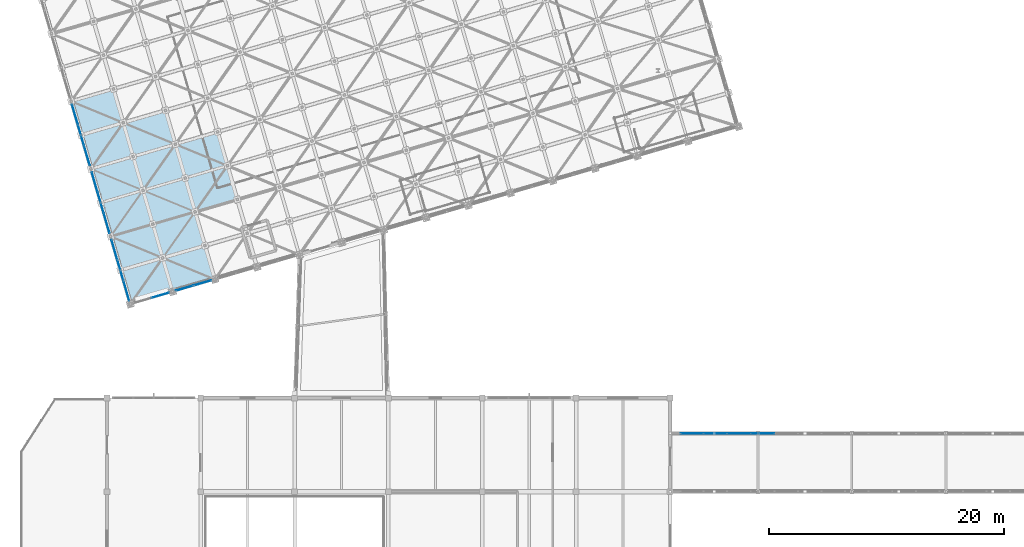
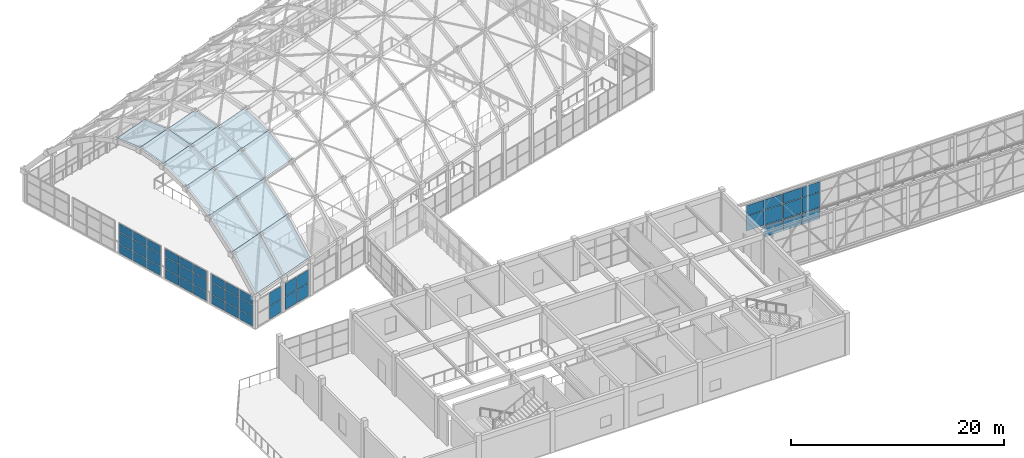
# One storey, part 199 of 248: 57 plates, 6 elements without a shape of their own.
"""IFC4 building model written with IfcOpenShell, lengths in metres."""

from ifc_helpers import new_model, si_unit, direction, frame, origin, origin_2d, place, context, subcontext, project, spatial, polyline, rectangle, outline, extrude, material, layer, layer_set, type_object, element, aggregate, save


model = new_model("IFC4")

# Units and contexts
model_context = context("Model", 3, precision=1e-05, world=origin(), true_north=direction((0.0, 1.0)))
body_context = subcontext(model_context, "Body", "Model", "MODEL_VIEW")
ifc_project = project(units=[si_unit("LENGTHUNIT", "METRE"), si_unit("AREAUNIT", "SQUARE_METRE"), si_unit("VOLUMEUNIT", "CUBIC_METRE"), si_unit("PLANEANGLEUNIT", "RADIAN"), si_unit("MASSUNIT", "GRAM", prefix="KILO")], contexts=[model_context])

# Site, building, storey
site_placement = place(None, origin())
site = spatial("IfcSite", under=ifc_project, at=site_placement, CompositionType="ELEMENT")
building_placement = place(site_placement, origin())
building = spatial("IfcBuilding", under=site, at=building_placement, Name="Canggui Botanical Conservatory", CompositionType="ELEMENT")
storey_placement = place(building_placement, frame((0.0, 0.0, 5.39990234375)))
storey = spatial("IfcBuildingStorey", under=building, at=storey_placement, Name="L02", CompositionType="ELEMENT", Elevation=5.39990234375)

# Curtain wall, plates
ifc_material_1 = material(Name="Thermally Broken Aluminium", Category="aluminium")
ifc_layer_1 = layer(ifc_material_1, 0.14990234375, Name="Thermally Broken Aluminium", Category="aluminium")
ifc_layer_set_1 = layer_set([ifc_layer_1], Name="Thermally Broken Aluminium")
curtain_wall_type_1 = type_object("IfcCurtainWallType", Name="CW-UNIT-C", PredefinedType="USERDEFINED", material=ifc_layer_set_1)
curtain_wall_1_placement = place(storey_placement, origin())
curtain_wall_1 = element("IfcCurtainWall", 1, at=curtain_wall_1_placement, inside=storey, type_object=curtain_wall_type_1, Name="Facade Curtain Wall CW-CONS-GABLE-L02-S-01", ObjectType="UNITISED CURTAIN WALL", PredefinedType="USERDEFINED")
ifc_material_2 = material(Name="Low-E Insulated Glass", Category="glass")
ifc_layer_2 = layer(ifc_material_2, 0.033935546875, Name="Low-E Insulated Glass", Category="glass")
ifc_layer_set_2 = layer_set([ifc_layer_2], Name="Low-E Insulated Glass")
plate_type_1 = type_object("IfcPlateType", Name="CWP-03", PredefinedType="CURTAIN_PANEL", material=ifc_layer_set_2)
plate_1_placement = place(storey_placement, frame((19.669189453125, 43.134521484375, 0.054931640625), z_axis=(0.0, 0.0, 1.0), x_axis=(-0.279999999995, 0.960000000002, 0.0)))
plate_1 = element("IfcPlate", 2, at=plate_1_placement, type_object=plate_type_1, Name="CW-03 panel 1.1", PredefinedType="CURTAIN_PANEL", context=body_context, shape_type="SweptSolid", body=[
    extrude(rectangle(XDim=1.743408203125, YDim=0.033935546875, at=origin_2d()), origin(), (0.0, 0.0, 1.0), 1.03759765625),
])
plate_2_placement = place(storey_placement, frame((19.669189453125, 43.134521484375, 1.1474609375), z_axis=(0.0, 0.0, 1.0), x_axis=(-0.279999999995, 0.960000000002, 0.0)))
plate_2 = element("IfcPlate", 3, at=plate_2_placement, type_object=plate_type_1, Name="CW-03 panel 1.2", PredefinedType="CURTAIN_PANEL", context=body_context, shape_type="SweptSolid", body=[
    extrude(rectangle(XDim=1.743408203125, YDim=0.033935546875, at=origin_2d()), origin(), (0.0, 0.0, 1.0), 1.344970703125),
])
plate_3_placement = place(storey_placement, frame((19.669189453125, 43.134521484375, 2.547607421875), z_axis=(0.0, 0.0, 1.0), x_axis=(-0.279999999995, 0.960000000002, 0.0)))
plate_3 = element("IfcPlate", 4, at=plate_3_placement, type_object=plate_type_1, Name="CW-03 panel 1.3", PredefinedType="CURTAIN_PANEL", context=body_context, shape_type="SweptSolid", body=[
    extrude(rectangle(XDim=1.743408203125, YDim=0.033935546875, at=origin_2d()), origin(), (0.0, 0.0, 1.0), 0.8974609375),
])
plate_4_placement = place(storey_placement, frame((19.159912109375, 44.8798828125, 0.054931640625), z_axis=(0.0, 0.0, 1.0), x_axis=(-0.279999999995, 0.960000000002, 0.0)))
plate_4 = element("IfcPlate", 5, at=plate_4_placement, type_object=plate_type_1, Name="CW-03 panel 2.1", PredefinedType="CURTAIN_PANEL", context=body_context, shape_type="SweptSolid", body=[
    extrude(rectangle(XDim=1.7734375, YDim=0.033935546875, at=origin_2d()), origin(), (0.0, 0.0, 1.0), 1.03759765625),
])
plate_5_placement = place(storey_placement, frame((19.159912109375, 44.8798828125, 1.1474609375), z_axis=(0.0, 0.0, 1.0), x_axis=(-0.279999999995, 0.960000000002, 0.0)))
plate_5 = element("IfcPlate", 6, at=plate_5_placement, type_object=plate_type_1, Name="CW-03 panel 2.2", PredefinedType="CURTAIN_PANEL", context=body_context, shape_type="SweptSolid", body=[
    extrude(rectangle(XDim=1.7734375, YDim=0.033935546875, at=origin_2d()), origin(), (0.0, 0.0, 1.0), 1.344970703125),
])
plate_6_placement = place(storey_placement, frame((19.159912109375, 44.8798828125, 2.547607421875), z_axis=(0.0, 0.0, 1.0), x_axis=(-0.279999999995, 0.960000000002, 0.0)))
plate_6 = element("IfcPlate", 7, at=plate_6_placement, type_object=plate_type_1, Name="CW-03 panel 2.3", PredefinedType="CURTAIN_PANEL", context=body_context, shape_type="SweptSolid", body=[
    extrude(rectangle(XDim=1.7734375, YDim=0.033935546875, at=origin_2d()), origin(), (0.0, 0.0, 1.0), 0.8974609375),
])
plate_7_placement = place(storey_placement, frame((18.65087890625, 46.62548828125, 0.054931640625), z_axis=(0.0, 0.0, 1.0), x_axis=(-0.279999999995, 0.960000000002, 0.0)))
plate_7 = element("IfcPlate", 8, at=plate_7_placement, type_object=plate_type_1, Name="CW-03 panel 3.1", PredefinedType="CURTAIN_PANEL", context=body_context, shape_type="SweptSolid", body=[
    extrude(rectangle(XDim=1.743408203125, YDim=0.033935546875, at=origin_2d()), origin(), (0.0, 0.0, 1.0), 1.03759765625),
])
plate_8_placement = place(storey_placement, frame((18.65087890625, 46.62548828125, 1.1474609375), z_axis=(0.0, 0.0, 1.0), x_axis=(-0.279999999995, 0.960000000002, 0.0)))
plate_8 = element("IfcPlate", 9, at=plate_8_placement, type_object=plate_type_1, Name="CW-03 panel 3.2", PredefinedType="CURTAIN_PANEL", context=body_context, shape_type="SweptSolid", body=[
    extrude(rectangle(XDim=1.743408203125, YDim=0.033935546875, at=origin_2d()), origin(), (0.0, 0.0, 1.0), 1.344970703125),
])
plate_9_placement = place(storey_placement, frame((18.65087890625, 46.62548828125, 2.547607421875), z_axis=(0.0, 0.0, 1.0), x_axis=(-0.279999999995, 0.960000000002, 0.0)))
plate_9 = element("IfcPlate", 10, at=plate_9_placement, type_object=plate_type_1, Name="CW-03 panel 3.3", PredefinedType="CURTAIN_PANEL", context=body_context, shape_type="SweptSolid", body=[
    extrude(rectangle(XDim=1.743408203125, YDim=0.033935546875, at=origin_2d()), origin(), (0.0, 0.0, 1.0), 0.8974609375),
])
aggregate(curtain_wall_1, [plate_1, plate_2, plate_3, plate_4, plate_5, plate_6, plate_7, plate_8, plate_9])

curtain_wall_2_placement = place(storey_placement, origin())
curtain_wall_2 = element("IfcCurtainWall", 11, at=curtain_wall_2_placement, inside=storey, type_object=curtain_wall_type_1, Name="Facade Curtain Wall CW-CONS-GABLE-L02-S-02", ObjectType="UNITISED CURTAIN WALL", PredefinedType="USERDEFINED")
plate_10_placement = place(storey_placement, frame((17.989013671875, 48.894287109375, 0.054931640625), z_axis=(0.0, 0.0, 1.0), x_axis=(-0.279999999995, 0.960000000002, 0.0)))
plate_10 = element("IfcPlate", 12, at=plate_10_placement, type_object=plate_type_1, Name="CW-03 panel 1.1", PredefinedType="CURTAIN_PANEL", context=body_context, shape_type="SweptSolid", body=[
    extrude(rectangle(XDim=1.743408203125, YDim=0.033935546875, at=origin_2d()), origin(), (0.0, 0.0, 1.0), 1.03759765625),
])
plate_11_placement = place(storey_placement, frame((17.989013671875, 48.894287109375, 1.1474609375), z_axis=(0.0, 0.0, 1.0), x_axis=(-0.279999999995, 0.960000000002, 0.0)))
plate_11 = element("IfcPlate", 13, at=plate_11_placement, type_object=plate_type_1, Name="CW-03 panel 1.2", PredefinedType="CURTAIN_PANEL", context=body_context, shape_type="SweptSolid", body=[
    extrude(rectangle(XDim=1.743408203125, YDim=0.033935546875, at=origin_2d()), origin(), (0.0, 0.0, 1.0), 1.344970703125),
])
plate_12_placement = place(storey_placement, frame((17.989013671875, 48.894287109375, 2.547607421875), z_axis=(0.0, 0.0, 1.0), x_axis=(-0.279999999995, 0.960000000002, 0.0)))
plate_12 = element("IfcPlate", 14, at=plate_12_placement, type_object=plate_type_1, Name="CW-03 panel 1.3", PredefinedType="CURTAIN_PANEL", context=body_context, shape_type="SweptSolid", body=[
    extrude(rectangle(XDim=1.743408203125, YDim=0.033935546875, at=origin_2d()), origin(), (0.0, 0.0, 1.0), 0.8974609375),
])
plate_13_placement = place(storey_placement, frame((17.47998046875, 50.639892578125, 0.054931640625), z_axis=(0.0, 0.0, 1.0), x_axis=(-0.279999999995, 0.960000000002, 0.0)))
plate_13 = element("IfcPlate", 15, at=plate_13_placement, type_object=plate_type_1, Name="CW-03 panel 2.1", PredefinedType="CURTAIN_PANEL", context=body_context, shape_type="SweptSolid", body=[
    extrude(rectangle(XDim=1.7734375, YDim=0.033935546875, at=origin_2d()), origin(), (0.0, 0.0, 1.0), 1.03759765625),
])
plate_14_placement = place(storey_placement, frame((17.47998046875, 50.639892578125, 1.1474609375), z_axis=(0.0, 0.0, 1.0), x_axis=(-0.279999999995, 0.960000000002, 0.0)))
plate_14 = element("IfcPlate", 16, at=plate_14_placement, type_object=plate_type_1, Name="CW-03 panel 2.2", PredefinedType="CURTAIN_PANEL", context=body_context, shape_type="SweptSolid", body=[
    extrude(rectangle(XDim=1.7734375, YDim=0.033935546875, at=origin_2d()), origin(), (0.0, 0.0, 1.0), 1.344970703125),
])
plate_15_placement = place(storey_placement, frame((17.47998046875, 50.639892578125, 2.547607421875), z_axis=(0.0, 0.0, 1.0), x_axis=(-0.279999999995, 0.960000000002, 0.0)))
plate_15 = element("IfcPlate", 17, at=plate_15_placement, type_object=plate_type_1, Name="CW-03 panel 2.3", PredefinedType="CURTAIN_PANEL", context=body_context, shape_type="SweptSolid", body=[
    extrude(rectangle(XDim=1.7734375, YDim=0.033935546875, at=origin_2d()), origin(), (0.0, 0.0, 1.0), 0.8974609375),
])
plate_16_placement = place(storey_placement, frame((16.970947265625, 52.385498046875, 0.054931640625), z_axis=(0.0, 0.0, 1.0), x_axis=(-0.279999999995, 0.960000000002, 0.0)))
plate_16 = element("IfcPlate", 18, at=plate_16_placement, type_object=plate_type_1, Name="CW-03 panel 3.1", PredefinedType="CURTAIN_PANEL", context=body_context, shape_type="SweptSolid", body=[
    extrude(rectangle(XDim=1.743408203125, YDim=0.033935546875, at=origin_2d()), origin(), (0.0, 0.0, 1.0), 1.03759765625),
])
plate_17_placement = place(storey_placement, frame((16.970947265625, 52.385498046875, 1.1474609375), z_axis=(0.0, 0.0, 1.0), x_axis=(-0.279999999995, 0.960000000002, 0.0)))
plate_17 = element("IfcPlate", 19, at=plate_17_placement, type_object=plate_type_1, Name="CW-03 panel 3.2", PredefinedType="CURTAIN_PANEL", context=body_context, shape_type="SweptSolid", body=[
    extrude(rectangle(XDim=1.743408203125, YDim=0.033935546875, at=origin_2d()), origin(), (0.0, 0.0, 1.0), 1.344970703125),
])
plate_18_placement = place(storey_placement, frame((16.970947265625, 52.385498046875, 2.547607421875), z_axis=(0.0, 0.0, 1.0), x_axis=(-0.279999999995, 0.960000000002, 0.0)))
plate_18 = element("IfcPlate", 20, at=plate_18_placement, type_object=plate_type_1, Name="CW-03 panel 3.3", PredefinedType="CURTAIN_PANEL", context=body_context, shape_type="SweptSolid", body=[
    extrude(rectangle(XDim=1.743408203125, YDim=0.033935546875, at=origin_2d()), origin(), (0.0, 0.0, 1.0), 0.8974609375),
])
aggregate(curtain_wall_2, [plate_10, plate_11, plate_12, plate_13, plate_14, plate_15, plate_16, plate_17, plate_18])

curtain_wall_3_placement = place(storey_placement, origin())
curtain_wall_3 = element("IfcCurtainWall", 21, at=curtain_wall_3_placement, inside=storey, type_object=curtain_wall_type_1, Name="Facade Curtain Wall CW-CONS-GABLE-L02-S-03", ObjectType="UNITISED CURTAIN WALL", PredefinedType="USERDEFINED")
plate_19_placement = place(storey_placement, frame((16.30908203125, 54.654296875, 0.054931640625), z_axis=(0.0, 0.0, 1.0), x_axis=(-0.279999999995, 0.960000000002, 0.0)))
plate_19 = element("IfcPlate", 22, at=plate_19_placement, type_object=plate_type_1, Name="CW-03 panel 1.1", PredefinedType="CURTAIN_PANEL", context=body_context, shape_type="SweptSolid", body=[
    extrude(rectangle(XDim=1.743408203125, YDim=0.033935546875, at=origin_2d()), origin(), (0.0, 0.0, 1.0), 1.03759765625),
])
plate_20_placement = place(storey_placement, frame((16.30908203125, 54.654296875, 1.1474609375), z_axis=(0.0, 0.0, 1.0), x_axis=(-0.279999999995, 0.960000000002, 0.0)))
plate_20 = element("IfcPlate", 23, at=plate_20_placement, type_object=plate_type_1, Name="CW-03 panel 1.2", PredefinedType="CURTAIN_PANEL", context=body_context, shape_type="SweptSolid", body=[
    extrude(rectangle(XDim=1.743408203125, YDim=0.033935546875, at=origin_2d()), origin(), (0.0, 0.0, 1.0), 1.344970703125),
])
plate_21_placement = place(storey_placement, frame((16.30908203125, 54.654296875, 2.547607421875), z_axis=(0.0, 0.0, 1.0), x_axis=(-0.279999999995, 0.960000000002, 0.0)))
plate_21 = element("IfcPlate", 24, at=plate_21_placement, type_object=plate_type_1, Name="CW-03 panel 1.3", PredefinedType="CURTAIN_PANEL", context=body_context, shape_type="SweptSolid", body=[
    extrude(rectangle(XDim=1.743408203125, YDim=0.033935546875, at=origin_2d()), origin(), (0.0, 0.0, 1.0), 0.8974609375),
])
plate_22_placement = place(storey_placement, frame((15.800048828125, 56.39990234375, 0.054931640625), z_axis=(0.0, 0.0, 1.0), x_axis=(-0.279999999995, 0.960000000002, 0.0)))
plate_22 = element("IfcPlate", 25, at=plate_22_placement, type_object=plate_type_1, Name="CW-03 panel 2.1", PredefinedType="CURTAIN_PANEL", context=body_context, shape_type="SweptSolid", body=[
    extrude(rectangle(XDim=1.7734375, YDim=0.033935546875, at=origin_2d()), origin(), (0.0, 0.0, 1.0), 1.03759765625),
])
plate_23_placement = place(storey_placement, frame((15.800048828125, 56.39990234375, 1.1474609375), z_axis=(0.0, 0.0, 1.0), x_axis=(-0.279999999995, 0.960000000002, 0.0)))
plate_23 = element("IfcPlate", 26, at=plate_23_placement, type_object=plate_type_1, Name="CW-03 panel 2.2", PredefinedType="CURTAIN_PANEL", context=body_context, shape_type="SweptSolid", body=[
    extrude(rectangle(XDim=1.7734375, YDim=0.033935546875, at=origin_2d()), origin(), (0.0, 0.0, 1.0), 1.344970703125),
])
plate_24_placement = place(storey_placement, frame((15.800048828125, 56.39990234375, 2.547607421875), z_axis=(0.0, 0.0, 1.0), x_axis=(-0.279999999995, 0.960000000002, 0.0)))
plate_24 = element("IfcPlate", 27, at=plate_24_placement, type_object=plate_type_1, Name="CW-03 panel 2.3", PredefinedType="CURTAIN_PANEL", context=body_context, shape_type="SweptSolid", body=[
    extrude(rectangle(XDim=1.7734375, YDim=0.033935546875, at=origin_2d()), origin(), (0.0, 0.0, 1.0), 0.8974609375),
])
plate_25_placement = place(storey_placement, frame((15.290771484375, 58.1455078125, 0.054931640625), z_axis=(0.0, 0.0, 1.0), x_axis=(-0.279999999995, 0.960000000002, 0.0)))
plate_25 = element("IfcPlate", 28, at=plate_25_placement, type_object=plate_type_1, Name="CW-03 panel 3.1", PredefinedType="CURTAIN_PANEL", context=body_context, shape_type="SweptSolid", body=[
    extrude(rectangle(XDim=1.743408203125, YDim=0.033935546875, at=origin_2d()), origin(), (0.0, 0.0, 1.0), 1.03759765625),
])
plate_26_placement = place(storey_placement, frame((15.290771484375, 58.1455078125, 1.1474609375), z_axis=(0.0, 0.0, 1.0), x_axis=(-0.279999999995, 0.960000000002, 0.0)))
plate_26 = element("IfcPlate", 29, at=plate_26_placement, type_object=plate_type_1, Name="CW-03 panel 3.2", PredefinedType="CURTAIN_PANEL", context=body_context, shape_type="SweptSolid", body=[
    extrude(rectangle(XDim=1.743408203125, YDim=0.033935546875, at=origin_2d()), origin(), (0.0, 0.0, 1.0), 1.344970703125),
])
plate_27_placement = place(storey_placement, frame((15.290771484375, 58.1455078125, 2.547607421875), z_axis=(0.0, 0.0, 1.0), x_axis=(-0.279999999995, 0.960000000002, 0.0)))
plate_27 = element("IfcPlate", 30, at=plate_27_placement, type_object=plate_type_1, Name="CW-03 panel 3.3", PredefinedType="CURTAIN_PANEL", context=body_context, shape_type="SweptSolid", body=[
    extrude(rectangle(XDim=1.743408203125, YDim=0.033935546875, at=origin_2d()), origin(), (0.0, 0.0, 1.0), 0.8974609375),
])
aggregate(curtain_wall_3, [plate_19, plate_20, plate_21, plate_22, plate_23, plate_24, plate_25, plate_26, plate_27])

ifc_layer_3 = layer(ifc_material_1, 0.135009765625, Name="Thermally Broken Aluminium", Category="aluminium")
ifc_layer_set_3 = layer_set([ifc_layer_3], Name="Thermally Broken Aluminium")
curtain_wall_type_2 = type_object("IfcCurtainWallType", Name="CW-STICK-A", PredefinedType="USERDEFINED", material=ifc_layer_set_3)
curtain_wall_4_placement = place(storey_placement, origin())
curtain_wall_4 = element("IfcCurtainWall", 31, at=curtain_wall_4_placement, inside=storey, type_object=curtain_wall_type_2, Name="Facade Curtain Wall CW-CONS-L02-V0-01", ObjectType="STICK GLAZED WALL", PredefinedType="USERDEFINED")
ifc_layer_4 = layer(ifc_material_2, 0.0380859375, Name="Low-E Insulated Glass", Category="glass")
ifc_layer_set_4 = layer_set([ifc_layer_4], Name="Low-E Insulated Glass")
plate_type_2 = type_object("IfcPlateType", Name="CWP-04", PredefinedType="CURTAIN_PANEL", material=ifc_layer_set_4)
plate_28_placement = place(storey_placement, frame((22.565673828125, 42.748291015625, 0.050048828125), z_axis=(0.0, 0.0, 1.0), x_axis=(-0.960000000002, -0.279999999995, 0.0)))
plate_28 = element("IfcPlate", 32, at=plate_28_placement, type_object=plate_type_2, Name="CW-04 panel 1.1", PredefinedType="CURTAIN_PANEL", context=body_context, shape_type="SweptSolid", body=[
    extrude(rectangle(XDim=1.534912109375, YDim=0.0380859375, at=origin_2d()), origin(), (0.0, 0.0, 1.0), 1.47509765625),
])
plate_29_placement = place(storey_placement, frame((22.565673828125, 42.748291015625, 1.574951171875), z_axis=(0.0, 0.0, 1.0), x_axis=(-0.960000000002, -0.279999999995, 0.0)))
plate_29 = element("IfcPlate", 33, at=plate_29_placement, type_object=plate_type_2, Name="CW-04 panel 1.2", PredefinedType="CURTAIN_PANEL", context=body_context, shape_type="SweptSolid", body=[
    extrude(rectangle(XDim=1.534912109375, YDim=0.0380859375, at=origin_2d()), origin(), (0.0, 0.0, 1.0), 1.47509765625),
])
aggregate(curtain_wall_4, [plate_28, plate_29])

curtain_wall_5_placement = place(storey_placement, origin())
curtain_wall_5 = element("IfcCurtainWall", 34, at=curtain_wall_5_placement, inside=storey, type_object=curtain_wall_type_2, Name="Facade Curtain Wall CW-CONS-L02-V0-02", ObjectType="STICK GLAZED WALL", PredefinedType="USERDEFINED")
plate_30_placement = place(storey_placement, frame((26.16552734375, 43.79833984375, 0.050048828125), z_axis=(0.0, 0.0, 1.0), x_axis=(-0.960000000002, -0.279999999995, 0.0)))
plate_30 = element("IfcPlate", 35, at=plate_30_placement, type_object=plate_type_2, Name="CW-04 panel 1.1", PredefinedType="CURTAIN_PANEL", context=body_context, shape_type="SweptSolid", body=[
    extrude(rectangle(XDim=1.534912109375, YDim=0.0380859375, at=origin_2d()), origin(), (0.0, 0.0, 1.0), 1.47509765625),
])
plate_31_placement = place(storey_placement, frame((26.16552734375, 43.79833984375, 1.574951171875), z_axis=(0.0, 0.0, 1.0), x_axis=(-0.960000000002, -0.279999999995, 0.0)))
plate_31 = element("IfcPlate", 36, at=plate_31_placement, type_object=plate_type_2, Name="CW-04 panel 1.2", PredefinedType="CURTAIN_PANEL", context=body_context, shape_type="SweptSolid", body=[
    extrude(rectangle(XDim=1.534912109375, YDim=0.0380859375, at=origin_2d()), origin(), (0.0, 0.0, 1.0), 1.47509765625),
])
plate_32_placement = place(storey_placement, frame((24.634521484375, 43.351806640625, 0.050048828125), z_axis=(0.0, 0.0, 1.0), x_axis=(-0.960000000002, -0.279999999995, 0.0)))
plate_32 = element("IfcPlate", 37, at=plate_32_placement, type_object=plate_type_2, Name="CW-04 panel 2.1", PredefinedType="CURTAIN_PANEL", context=body_context, shape_type="SweptSolid", body=[
    extrude(rectangle(XDim=1.534912109375, YDim=0.0380859375, at=origin_2d()), origin(), (0.0, 0.0, 1.0), 1.47509765625),
])
plate_33_placement = place(storey_placement, frame((24.634521484375, 43.351806640625, 1.574951171875), z_axis=(0.0, 0.0, 1.0), x_axis=(-0.960000000002, -0.279999999995, 0.0)))
plate_33 = element("IfcPlate", 38, at=plate_33_placement, type_object=plate_type_2, Name="CW-04 panel 2.2", PredefinedType="CURTAIN_PANEL", context=body_context, shape_type="SweptSolid", body=[
    extrude(rectangle(XDim=1.534912109375, YDim=0.0380859375, at=origin_2d()), origin(), (0.0, 0.0, 1.0), 1.47509765625),
])
aggregate(curtain_wall_5, [plate_30, plate_31, plate_32, plate_33])

ifc_layer_5 = layer(ifc_material_1, 0.1201171875, Name="Thermally Broken Aluminium", Category="aluminium")
ifc_layer_set_5 = layer_set([ifc_layer_5], Name="Thermally Broken Aluminium")
curtain_wall_type_3 = type_object("IfcCurtainWallType", Name="CW-STICK-B", PredefinedType="USERDEFINED", material=ifc_layer_set_5)
curtain_wall_6_placement = place(storey_placement, origin())
curtain_wall_6 = element("IfcCurtainWall", 39, at=curtain_wall_6_placement, inside=storey, type_object=curtain_wall_type_3, Name="Facade Curtain Wall CW-SB-01-2", ObjectType="STICK GLAZED WALL", PredefinedType="USERDEFINED")
ifc_layer_6 = layer(ifc_material_2, 0.0419921875, Name="Low-E Insulated Glass", Category="glass")
ifc_layer_set_6 = layer_set([ifc_layer_6], Name="Low-E Insulated Glass")
plate_type_3 = type_object("IfcPlateType", Name="CWP-05", PredefinedType="CURTAIN_PANEL", material=ifc_layer_set_6)
plate_34_placement = place(storey_placement, frame((67.86865234375, 30.9599609375, 1.41455078125), z_axis=(0.0, 0.0, 1.0), x_axis=(1.0, 0.0, 0.0)))
plate_34 = element("IfcPlate", 40, at=plate_34_placement, type_object=plate_type_3, Name="CW-05 panel 1.2", PredefinedType="CURTAIN_PANEL", context=body_context, shape_type="SweptSolid", body=[
    extrude(rectangle(XDim=1.92724609375, YDim=0.0419921875, at=origin_2d()), origin(), (0.0, 0.0, 1.0), 1.695068359375),
])
plate_35_placement = place(storey_placement, frame((67.86865234375, 30.9599609375, 3.154541015625), z_axis=(0.0, 0.0, 1.0), x_axis=(1.0, 0.0, 0.0)))
plate_35 = element("IfcPlate", 41, at=plate_35_placement, type_object=plate_type_3, Name="CW-05 panel 1.3", PredefinedType="CURTAIN_PANEL", context=body_context, shape_type="SweptSolid", body=[
    extrude(rectangle(XDim=1.92724609375, YDim=0.0419921875, at=origin_2d()), origin(), (0.0, 0.0, 1.0), 1.150390625),
])
plate_36_placement = place(storey_placement, frame((69.864501953125, 30.9599609375, 0.044921875), z_axis=(0.0, 0.0, 1.0), x_axis=(1.0, 0.0, 0.0)))
plate_36 = element("IfcPlate", 42, at=plate_36_placement, type_object=plate_type_3, Name="CW-05 panel 2.1", PredefinedType="CURTAIN_PANEL", context=body_context, shape_type="SweptSolid", body=[
    extrude(rectangle(XDim=1.95458984375, YDim=0.0419921875, at=origin_2d()), origin(), (0.0, 0.0, 1.0), 1.324462890625),
])
plate_37_placement = place(storey_placement, frame((69.864501953125, 30.9599609375, 1.41455078125), z_axis=(0.0, 0.0, 1.0), x_axis=(1.0, 0.0, 0.0)))
plate_37 = element("IfcPlate", 43, at=plate_37_placement, type_object=plate_type_3, Name="CW-05 panel 2.2", PredefinedType="CURTAIN_PANEL", context=body_context, shape_type="SweptSolid", body=[
    extrude(rectangle(XDim=1.95458984375, YDim=0.0419921875, at=origin_2d()), origin(), (0.0, 0.0, 1.0), 1.695068359375),
])
plate_38_placement = place(storey_placement, frame((69.864501953125, 30.9599609375, 3.154541015625), z_axis=(0.0, 0.0, 1.0), x_axis=(1.0, 0.0, 0.0)))
plate_38 = element("IfcPlate", 44, at=plate_38_placement, type_object=plate_type_3, Name="CW-05 panel 2.3", PredefinedType="CURTAIN_PANEL", context=body_context, shape_type="SweptSolid", body=[
    extrude(rectangle(XDim=1.95458984375, YDim=0.0419921875, at=origin_2d()), origin(), (0.0, 0.0, 1.0), 1.150390625),
])
plate_39_placement = place(storey_placement, frame((71.874267578125, 30.9599609375, 0.044921875), z_axis=(0.0, 0.0, 1.0), x_axis=(1.0, 0.0, 0.0)))
plate_39 = element("IfcPlate", 45, at=plate_39_placement, type_object=plate_type_3, Name="CW-05 panel 3.1", PredefinedType="CURTAIN_PANEL", context=body_context, shape_type="SweptSolid", body=[
    extrude(rectangle(XDim=1.95458984375, YDim=0.0419921875, at=origin_2d()), origin(), (0.0, 0.0, 1.0), 1.324462890625),
])
plate_40_placement = place(storey_placement, frame((71.874267578125, 30.9599609375, 1.41455078125), z_axis=(0.0, 0.0, 1.0), x_axis=(1.0, 0.0, 0.0)))
plate_40 = element("IfcPlate", 46, at=plate_40_placement, type_object=plate_type_3, Name="CW-05 panel 3.2", PredefinedType="CURTAIN_PANEL", context=body_context, shape_type="SweptSolid", body=[
    extrude(rectangle(XDim=1.95458984375, YDim=0.0419921875, at=origin_2d()), origin(), (0.0, 0.0, 1.0), 1.695068359375),
])
plate_41_placement = place(storey_placement, frame((71.874267578125, 30.9599609375, 3.154541015625), z_axis=(0.0, 0.0, 1.0), x_axis=(1.0, 0.0, 0.0)))
plate_41 = element("IfcPlate", 47, at=plate_41_placement, type_object=plate_type_3, Name="CW-05 panel 3.3", PredefinedType="CURTAIN_PANEL", context=body_context, shape_type="SweptSolid", body=[
    extrude(rectangle(XDim=1.95458984375, YDim=0.0419921875, at=origin_2d()), origin(), (0.0, 0.0, 1.0), 1.150390625),
])
plate_42_placement = place(storey_placement, frame((73.8837890625, 30.9599609375, 0.044921875), z_axis=(0.0, 0.0, 1.0), x_axis=(1.0, 0.0, 0.0)))
plate_42 = element("IfcPlate", 48, at=plate_42_placement, type_object=plate_type_3, Name="CW-05 panel 4.1", PredefinedType="CURTAIN_PANEL", context=body_context, shape_type="SweptSolid", body=[
    extrude(rectangle(XDim=1.95458984375, YDim=0.0419921875, at=origin_2d()), origin(), (0.0, 0.0, 1.0), 1.324462890625),
])
plate_43_placement = place(storey_placement, frame((73.8837890625, 30.9599609375, 1.41455078125), z_axis=(0.0, 0.0, 1.0), x_axis=(1.0, 0.0, 0.0)))
plate_43 = element("IfcPlate", 49, at=plate_43_placement, type_object=plate_type_3, Name="CW-05 panel 4.2", PredefinedType="CURTAIN_PANEL", context=body_context, shape_type="SweptSolid", body=[
    extrude(rectangle(XDim=1.95458984375, YDim=0.0419921875, at=origin_2d()), origin(), (0.0, 0.0, 1.0), 1.695068359375),
])
plate_44_placement = place(storey_placement, frame((73.8837890625, 30.9599609375, 3.154541015625), z_axis=(0.0, 0.0, 1.0), x_axis=(1.0, 0.0, 0.0)))
plate_44 = element("IfcPlate", 50, at=plate_44_placement, type_object=plate_type_3, Name="CW-05 panel 4.3", PredefinedType="CURTAIN_PANEL", context=body_context, shape_type="SweptSolid", body=[
    extrude(rectangle(XDim=1.95458984375, YDim=0.0419921875, at=origin_2d()), origin(), (0.0, 0.0, 1.0), 1.150390625),
])
aggregate(curtain_wall_6, [plate_34, plate_35, plate_36, plate_37, plate_38, plate_39, plate_40, plate_41, plate_42, plate_43, plate_44])

# Plates
ifc_layer_7 = layer(ifc_material_2, 0.028076171875, Name="Low-E Insulated Glass", Category="glass")
ifc_layer_set_7 = layer_set([ifc_layer_7], Name="Low-E Insulated Glass")
plate_type_4 = type_object("IfcPlateType", Name="PLT-GS-GLAZ-28", PredefinedType="SHEET", material=ifc_layer_set_7)
plate_45_placement = place(storey_placement, frame((17.47998046875, 50.639892578125, 11.92919921875), z_axis=(0.040536337233, -0.360815364334, 0.93175591129), x_axis=(0.957872417874, 0.27938486839, 0.066517113516)))
element("IfcPlate", 51, at=plate_45_placement, inside=storey, type_object=plate_type_4, Name="Conservatory Stepped-Arch Roof Glazing Panel 1-4", PredefinedType="SHEET", context=body_context, shape_type="SweptSolid", body=[
    extrude(outline(polyline([(0.0, 0.0), (3.7584312786032728, -1.249000902703301e-16), (3.835016250296977, 3.212753444180213), (0.0765849716937042, 3.2127534441802124), (0.0, 0.0)])), origin(), (0.0, 0.0, -1.0), 0.028076171875),
])
plate_46_placement = place(storey_placement, frame((16.639892578125, 53.52001953125, 13.0810546875), z_axis=(-0.027865096775, -0.140109937673, 0.989743775806), x_axis=(0.957872392656, 0.279384741586, 0.066518009266)))
element("IfcPlate", 52, at=plate_46_placement, inside=storey, type_object=plate_type_4, Name="Conservatory Stepped-Arch Roof Glazing Panel 1-5", PredefinedType="SHEET", context=body_context, shape_type="SweptSolid", body=[
    extrude(outline(polyline([(0.0, 0.0), (3.758431278601733, -2.2898349882893854e-16), (3.7838747202996434, 3.024286165374089), (0.02567729726252356, 3.024216380427026), (0.0, 0.0)])), origin(), (0.0, 0.0, -1.0), 0.028076171875),
])
plate_47_placement = place(storey_placement, frame((15.800048828125, 56.39990234375, 13.465087890625), z_axis=(-0.09882016722, 0.103151433169, 0.989744591491), x_axis=(0.957867376797, 0.279401922101, 0.066518075695)))
element("IfcPlate", 53, at=plate_47_placement, inside=storey, type_object=plate_type_4, Name="Conservatory Stepped-Arch Roof Glazing Panel 1-6", PredefinedType="SHEET", context=body_context, shape_type="SweptSolid", body=[
    extrude(outline(polyline([(0.0, 0.0), (3.7581974236672084, 4.163336342344337e-17), (3.732906350859214, 3.024452124455653), (-0.025524927148032735, 3.0245179631046795), (0.0, 0.0)])), origin(), (0.0, 0.0, -1.0), 0.028076171875),
])
plate_48_placement = place(storey_placement, frame((21.080078125, 51.68994140625, 12.17919921875), z_axis=(0.040538045254, -0.36081639495, 0.931755437882), x_axis=(0.957867112979, 0.2794017781, 0.066522479423)))
element("IfcPlate", 54, at=plate_48_placement, inside=storey, type_object=plate_type_4, Name="Conservatory Stepped-Arch Roof Glazing Panel 2-4", PredefinedType="SHEET", context=body_context, shape_type="SweptSolid", body=[
    extrude(outline(polyline([(0.0, 0.0), (3.7581974236833102, 1.5265566588595902e-16), (3.8350755890926655, 3.212682611008945), (0.07664431113372543, 3.2127520291064315), (0.0, 0.0)])), origin(), (0.0, 0.0, -1.0), 0.028076171875),
])
plate_49_placement = place(storey_placement, frame((20.239990234375, 54.570068359375, 13.3310546875), z_axis=(-0.027863906202, -0.140110760435, 0.989743692853), x_axis=(0.957872417874, 0.27938486839, 0.066517113516)))
element("IfcPlate", 55, at=plate_49_placement, inside=storey, type_object=plate_type_4, Name="Conservatory Stepped-Arch Roof Glazing Panel 2-5", PredefinedType="SHEET", context=body_context, shape_type="SweptSolid", body=[
    extrude(outline(polyline([(0.0, 0.0), (3.7584312786032728, 1.3877787807814457e-16), (3.783874720298094, 3.024286165376028), (0.02544344169482141, 3.024286165376028), (0.0, 0.0)])), origin(), (0.0, 0.0, -1.0), 0.028076171875),
])
plate_50_placement = place(storey_placement, frame((24.679931640625, 52.739990234375, 12.42919921875), z_axis=(0.040530637758, -0.360831619611, 0.931749864337), x_axis=(0.957872839569, 0.279381114647, 0.066526806583)))
element("IfcPlate", 56, at=plate_50_placement, inside=storey, type_object=plate_type_4, Name="Conservatory Stepped-Arch Roof Glazing Panel 3-4", PredefinedType="SHEET", context=body_context, shape_type="SweptSolid", body=[
    extrude(outline(polyline([(0.0, 0.0), (3.7584312783998963, -5.551115123125783e-17), (3.834948041308109, 3.2125362071208245), (0.07681882686187883, 3.212684030173409), (0.0, 0.0)])), origin(), (0.0, 0.0, -1.0), 0.028076171875),
])
ifc_layer_8 = layer(ifc_material_2, 0.031982421875, Name="Low-E Insulated Glass", Category="glass")
ifc_layer_set_8 = layer_set([ifc_layer_8], Name="Low-E Insulated Glass")
plate_type_5 = type_object("IfcPlateType", Name="PLT-GS-GLAZ-32", PredefinedType="SHEET", material=ifc_layer_set_8)
plate_51_placement = place(storey_placement, frame((20.0, 42.0, 3.864990234375), z_axis=(0.169342484367, -0.736509705801, 0.654886689626), x_axis=(0.957872417874, 0.27938486839, 0.066517113516)))
element("IfcPlate", 57, at=plate_51_placement, inside=storey, type_object=plate_type_5, Name="Conservatory Stepped-Arch Roof Glazing Panel 1-1", PredefinedType="SHEET", context=body_context, shape_type="SweptSolid", body=[
    extrude(outline(polyline([(0.0, 0.0), (3.7584312786032728, 5.551115123125783e-17), (3.988216722097089, 4.570665742608702), (0.22978544349381666, 4.570665742608701), (0.0, 0.0)])), origin(), (0.0, 0.0, -1.0), 0.031982421875),
])
plate_52_placement = place(storey_placement, frame((19.159912109375, 44.8798828125, 7.321044921875), z_axis=(0.139015726574, -0.653704101407, 0.743872015584), x_axis=(0.957871790214, 0.279387819932, 0.06651375486)))
element("IfcPlate", 58, at=plate_52_placement, inside=storey, type_object=plate_type_5, Name="Conservatory Stepped-Arch Roof Glazing Panel 1-2", PredefinedType="SHEET", context=body_context, shape_type="SweptSolid", body=[
    extrude(outline(polyline([(0.0, 0.0), (3.758431278564963, -2.7755575615628914e-17), (3.9371953710014402, 4.024202197851964), (0.1789979478540102, 4.02414084309242), (0.0, 0.0)])), origin(), (0.0, 0.0, -1.0), 0.031982421875),
])
plate_53_placement = place(storey_placement, frame((18.320068359375, 47.760009765625, 10.009033203125), z_axis=(0.096899955489, -0.532419520789, 0.84091607935), x_axis=(0.95786736459, 0.27940057745, 0.066523899275)))
element("IfcPlate", 59, at=plate_53_placement, inside=storey, type_object=plate_type_5, Name="Conservatory Stepped-Arch Roof Glazing Panel 1-3", PredefinedType="SHEET", context=body_context, shape_type="SweptSolid", body=[
    extrude(outline(polyline([(0.0, 0.0), (3.758197423667953, -8.326672684688674e-17), (3.88611635560281, 3.5594573761208164), (0.12768507759779904, 3.559523384680565), (0.0, 0.0)])), origin(), (0.0, 0.0, -1.0), 0.031982421875),
])
plate_54_placement = place(storey_placement, frame((23.60009765625, 43.050048828125, 4.114990234375), z_axis=(0.169348866185, -0.736511125663, 0.654883442528), x_axis=(0.957867991141, 0.27939820192, 0.066524854838)))
element("IfcPlate", 60, at=plate_54_placement, inside=storey, type_object=plate_type_5, Name="Conservatory Stepped-Arch Roof Glazing Panel 2-1", PredefinedType="SHEET", context=body_context, shape_type="SweptSolid", body=[
    extrude(outline(polyline([(0.0, 0.0), (3.758197423629712, 2.7755575615628914e-17), (3.9882855938932553, 4.570605646368446), (0.2298543157735181, 4.57066227955986), (0.0, 0.0)])), origin(), (0.0, 0.0, -1.0), 0.031982421875),
])
plate_55_placement = place(storey_placement, frame((22.760009765625, 45.929931640625, 7.571044921875), z_axis=(0.139010291531, -0.6537022561, 0.743874652894), x_axis=(0.957872417874, 0.27938486839, 0.066517113516)))
element("IfcPlate", 61, at=plate_55_placement, inside=storey, type_object=plate_type_5, Name="Conservatory Stepped-Arch Roof Glazing Panel 2-2", PredefinedType="SHEET", context=body_context, shape_type="SweptSolid", body=[
    extrude(outline(polyline([(0.0, 0.0), (3.7584312786032728, -5.551115123125783e-17), (3.937195370961308, 4.024202197891229), (0.1787640923580353, 4.0242021978912295), (0.0, 0.0)])), origin(), (0.0, 0.0, -1.0), 0.031982421875),
])
plate_56_placement = place(storey_placement, frame((21.919921875, 48.81005859375, 10.259033203125), z_axis=(0.096899955489, -0.532419520789, 0.84091607935), x_axis=(0.957872112914, 0.279386544032, 0.066514466969)))
element("IfcPlate", 62, at=plate_56_placement, inside=storey, type_object=plate_type_5, Name="Conservatory Stepped-Arch Roof Glazing Panel 2-3", PredefinedType="SHEET", context=body_context, shape_type="SweptSolid", body=[
    extrude(outline(polyline([(0.0, 0.0), (3.7584312785846588, 1.6653345369377348e-16), (3.88605384098167, 3.5595256266384943), (0.12785641789332844, 3.5594596221858916), (0.0, 0.0)])), origin(), (0.0, 0.0, -1.0), 0.031982421875),
])
plate_57_placement = place(storey_placement, frame((25.52001953125, 49.860107421875, 10.509033203125), z_axis=(0.096874344437, -0.532407400901, 0.840926703616), x_axis=(0.95788812505, 0.279334185652, 0.066503778946)))
element("IfcPlate", 63, at=plate_57_placement, inside=storey, type_object=plate_type_5, Name="Conservatory Stepped-Arch Roof Glazing Panel 3-3", PredefinedType="SHEET", context=body_context, shape_type="SweptSolid", body=[
    extrude(outline(polyline([(0.0, 0.0), (3.7583630761556117, 1.6653345369377348e-16), (3.8858690749967155, 3.5597273313680553), (0.1274378020184354, 3.5595322456274676), (0.0, 0.0)])), origin(), (0.0, 0.0, -1.0), 0.031982421875),
])

save(model, "model.ifc")
